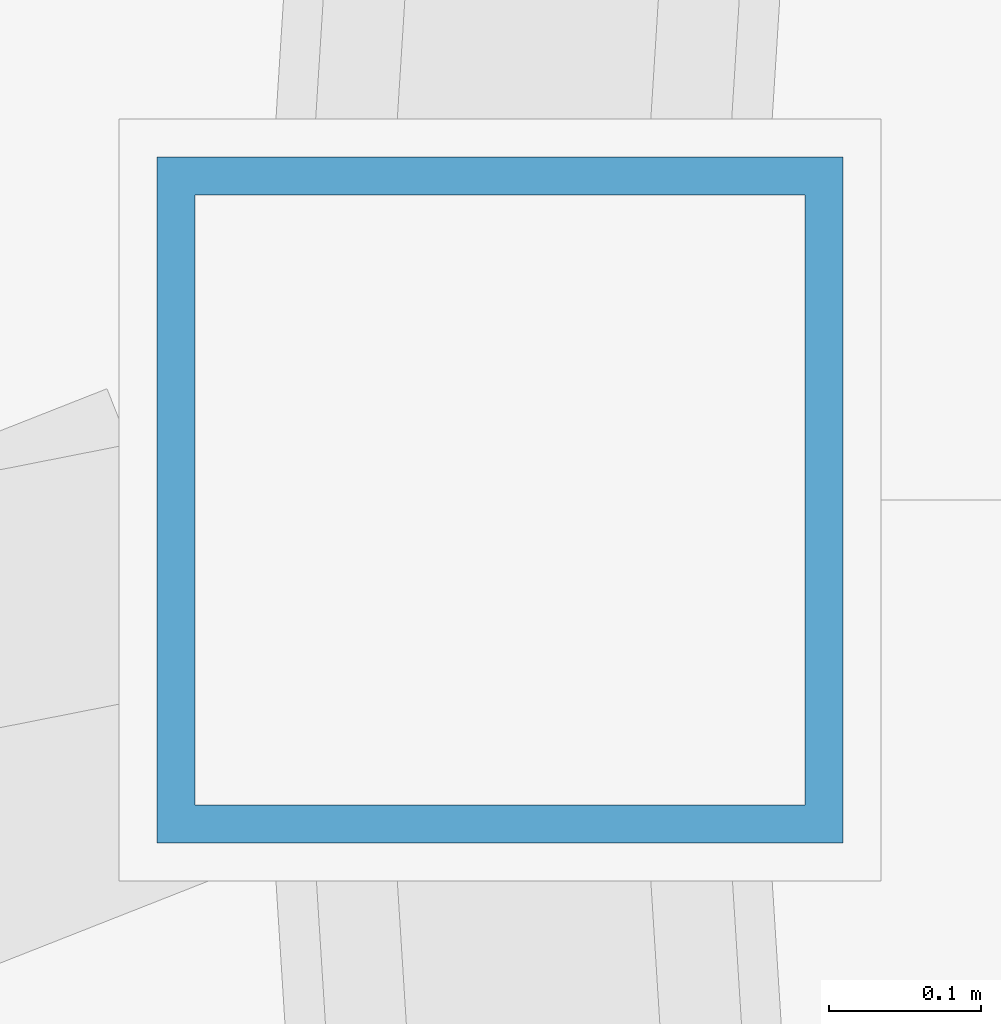
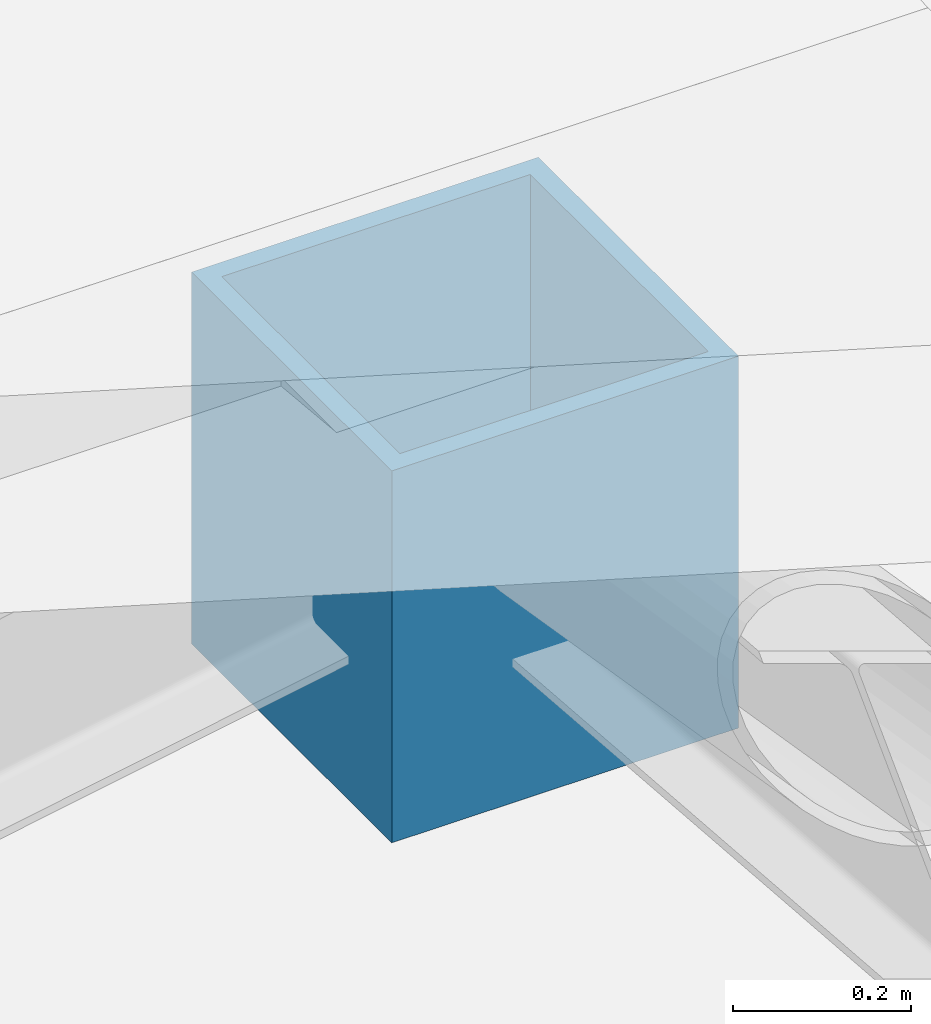
# One storey, part 4 of 6: 1 column.
"""IFC4 building model written with IfcOpenShell, lengths in metres."""

from ifc_helpers import new_model, si_unit, direction, frame, origin, origin_2d, place, context, subcontext, project, spatial, hollow_rectangle, extrude, material, material_profile, profile_set, type_object, element, save


model = new_model("IFC4")

# Units and contexts
model_context = context("Model", 3, precision=1e-05, world=origin(), true_north=direction((0.0, 1.0)))
body_context = subcontext(model_context, "Body", "Model", "MODEL_VIEW")
ifc_project = project(units=[si_unit("LENGTHUNIT", "METRE"), si_unit("AREAUNIT", "SQUARE_METRE"), si_unit("VOLUMEUNIT", "CUBIC_METRE"), si_unit("PLANEANGLEUNIT", "RADIAN"), si_unit("MASSUNIT", "GRAM", prefix="KILO"), si_unit("THERMODYNAMICTEMPERATUREUNIT", "KELVIN"), si_unit("POWERUNIT", "WATT")], contexts=[model_context])

# Site, building, storey
site_placement = place(None, origin())
site = spatial("IfcSite", under=ifc_project, at=site_placement, CompositionType="ELEMENT")
building_placement = place(site_placement, origin())
building = spatial("IfcBuilding", under=site, at=building_placement, Name="Cundina Bronze Exchange", CompositionType="ELEMENT")
storey_placement = place(building_placement, frame((0.0, 0.0, 291.60009765625)))
storey = spatial("IfcBuildingStorey", under=building, at=storey_placement, Name="RF", CompositionType="ELEMENT", Elevation=291.60009765625)

# Column
ifc_material = material(Name="Steel ASTM A501 Grade B", Category="steel")
ifc_material_profile = material_profile(ifc_material, hollow_rectangle(XDim=0.449951171875, YDim=0.449951171875, WallThickness=0.02490234375, at=origin_2d()), Name="HSS450X450X25", Category="steel")
ifc_profile_set = profile_set([ifc_material_profile], Name="Steel ASTM A501 Grade B")
column_type = type_object("IfcColumnType", Name="COL-STL-HSS45", PredefinedType="COLUMN", material=ifc_profile_set)
column_placement = place(storey_placement, frame((41.199951171875, 0.0, 0.0), z_axis=(0.0, 0.0, 1.0), x_axis=(1.0, 0.0, 0.0)))
element("IfcColumn", 1, at=column_placement, inside=storey, type_object=column_type, Name="RF Leg E V-Notch Roof Pier E0", PredefinedType="COLUMN", context=body_context, shape_type="SweptSolid", body=[
    extrude(hollow_rectangle(XDim=0.449951171875, YDim=0.449951171875, WallThickness=0.02490234375, at=origin_2d()), origin(), (0.0, 0.0, 1.0), 0.510009765625),
])

save(model, "model.ifc")
